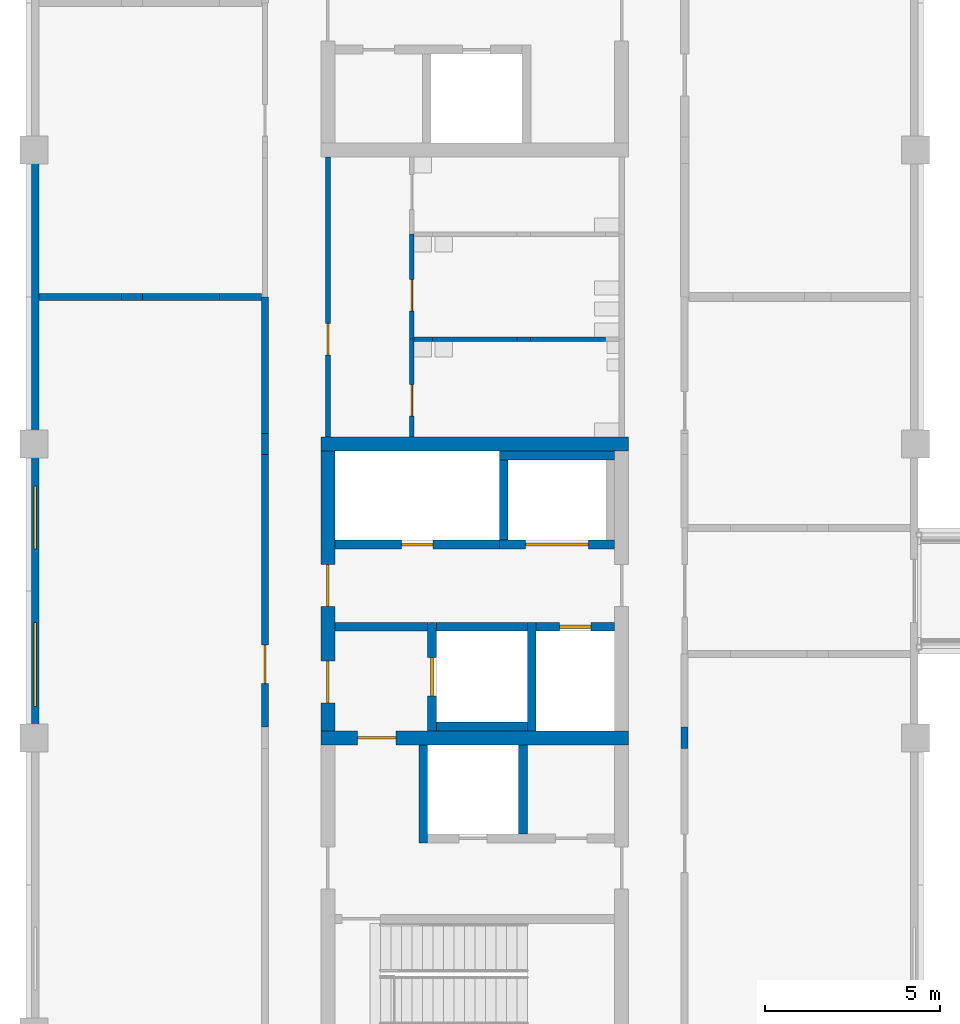
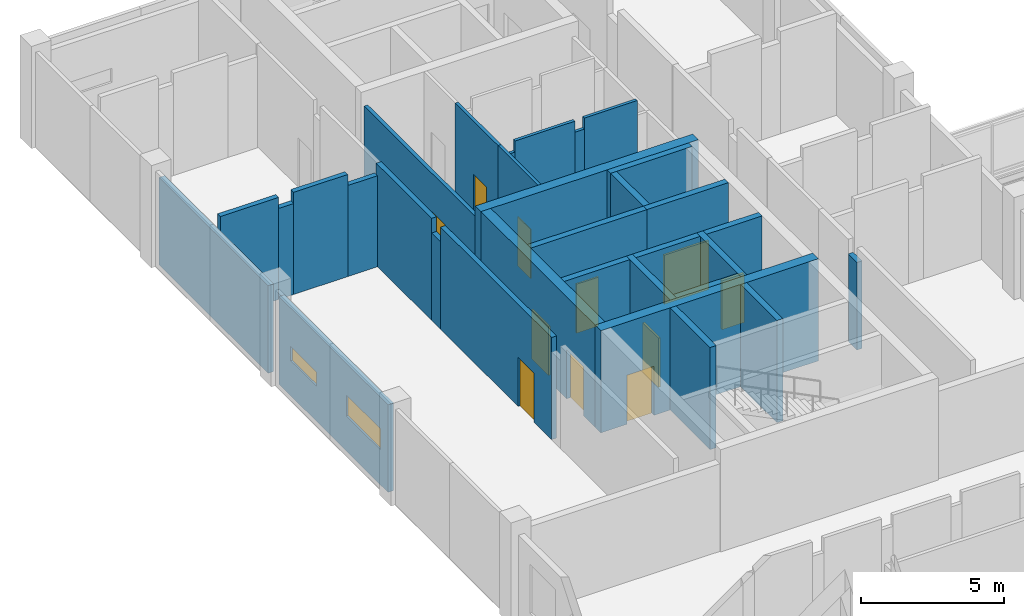
# One storey, part 35 of 70: 32 walls, 11 doors, 2 windows, 13 openings.
"""IFC4 building model written with IfcOpenShell, lengths in metres."""

from ifc_helpers import new_model, si_unit, direction, frame, frame_2d, origin, place, context, subcontext, project, spatial, rectangle, extrude, material, layer, layer_set, type_object, element, fill, save


model = new_model("IFC4")

# Units and contexts
model_context = context("Model", 3, precision=1e-05, world=origin(), true_north=direction((0.0, 1.0)))
body_context = subcontext(model_context, "Body", "Model", "MODEL_VIEW")
ifc_project = project(units=[si_unit("LENGTHUNIT", "METRE"), si_unit("AREAUNIT", "SQUARE_METRE"), si_unit("VOLUMEUNIT", "CUBIC_METRE"), si_unit("PLANEANGLEUNIT", "RADIAN"), si_unit("MASSUNIT", "GRAM", prefix="KILO")], contexts=[model_context])

# Site, building, storey
site_placement = place(None, origin())
site = spatial("IfcSite", under=ifc_project, at=site_placement, CompositionType="ELEMENT")
building_placement = place(site_placement, origin())
building = spatial("IfcBuilding", under=site, at=building_placement, Name="Hlaing Beacon Police Headquarters", CompositionType="ELEMENT")
storey_placement = place(building_placement, frame((0.0, 0.0, 5.39990234375)))
storey = spatial("IfcBuildingStorey", under=building, at=storey_placement, Name="L01", CompositionType="ELEMENT", Elevation=5.39990234375)

# Wall, opening, door
ifc_material_1 = material(Name="Concrete C60/75", Category="concrete")
ifc_layer_1 = layer(ifc_material_1, 0.39990234375)
ifc_layer_set_1 = layer_set([ifc_layer_1], Name="Concrete C60/75")
wall_type_1 = type_object("IfcWallType", Name="Core shear wall 400", PredefinedType="SHEAR", material=ifc_layer_set_1)
wall_1_placement = place(storey_placement, frame((16.60009765625, 42.0, 0.0), z_axis=(0.0, 0.0, 1.0), x_axis=(1.0, 0.0, 0.0)))
wall_1 = element("IfcWall", 1, at=wall_1_placement, inside=storey, type_object=wall_type_1, Name="Core shear wall", PredefinedType="SHEAR", context=body_context, shape_type="SweptSolid", body=[
    extrude(rectangle(XDim=8.7998046875, YDim=0.39990234375, at=frame_2d((4.39990234375, 0.0))), origin(), (0.0, 0.0, 1.0), 4.3701171875),
])
opening_1_placement = place(wall_1_placement, frame((1.050048828125, 0.0, 0.0)))
opening_1 = element("IfcOpeningElement", 2, at=opening_1_placement, cuts=wall_1, Name="Opening L01-953", PredefinedType="OPENING", context=body_context, shape_type="SweptSolid", body=[
    extrude(rectangle(XDim=1.10009765625, YDim=2.10009765625, at=frame_2d((0.550048828125, 1.050048828125))), frame((0.0, 0.2099609375, 0.0), z_axis=(0.0, -1.0, 0.0), x_axis=(1.0, 0.0, 0.0)), (0.0, 0.0, 1.0), 0.419921875),
])
ifc_material_2 = material(Name="Steel fire door leaf", Category="steel")
ifc_layer_2 = layer(ifc_material_2, 0.070068359375)
ifc_layer_set_2 = layer_set([ifc_layer_2], Name="Steel fire door leaf")
door_type_1 = type_object("IfcDoorType", Name="Steel fire door FD60S 1100x2100", OperationType="SINGLE_SWING_LEFT", PredefinedType="DOOR", material=ifc_layer_set_2)
door_1_placement = place(opening_1_placement, frame((1.10009765625, 0.0, 0.0), z_axis=(0.0, 0.0, 1.0), x_axis=(-1.0, 0.0, 0.0)))
door_1 = element("IfcDoor", 3, at=door_1_placement, inside=storey, type_object=door_type_1, Name="Door Firefighting Lobby Stair", OperationType="SINGLE_SWING_LEFT", OverallHeight=2.10009765625, OverallWidth=1.10009765625, PredefinedType="DOOR", context=body_context, shape_type="SweptSolid", body=[
    extrude(rectangle(XDim=1.10009765625, YDim=2.10009765625, at=frame_2d((0.550048828125, 1.050048828125))), frame((0.0, 0.034912109375, 0.0), z_axis=(0.0, -1.0, 0.0), x_axis=(1.0, 0.0, 0.0)), (0.0, 0.0, 1.0), 0.070068359375),
])
fill(opening_1, door_1)

# Wall
wall_2_placement = place(storey_placement, frame((16.60009765625, 50.39990234375, 0.0), z_axis=(0.0, 0.0, 1.0), x_axis=(1.0, 0.0, 0.0)))
element("IfcWall", 4, at=wall_2_placement, inside=storey, type_object=wall_type_1, Name="Core shear wall", PredefinedType="SHEAR", context=body_context, shape_type="SweptSolid", body=[
    extrude(rectangle(XDim=8.7998046875, YDim=0.39990234375, at=frame_2d((4.39990234375, 0.0))), origin(), (0.0, 0.0, 1.0), 4.3701171875),
])

# Wall, openings, doors
wall_3_placement = place(storey_placement, frame((16.800048828125, 42.199951171875, 0.0), z_axis=(0.0, 0.0, 1.0), x_axis=(0.0, 1.0, 0.0)))
wall_3 = element("IfcWall", 5, at=wall_3_placement, inside=storey, type_object=wall_type_1, Name="Core shear wall", PredefinedType="SHEAR", context=body_context, shape_type="SweptSolid", body=[
    extrude(rectangle(XDim=8.0, YDim=0.39990234375, at=frame_2d((4.0, 0.0))), origin(), (0.0, 0.0, 1.0), 4.3701171875),
])
opening_2_placement = place(wall_3_placement, frame((3.550048828125, 0.0, 0.0)))
opening_2 = element("IfcOpeningElement", 6, at=opening_2_placement, cuts=wall_3, Name="Opening L01-950", PredefinedType="OPENING", context=body_context, shape_type="SweptSolid", body=[
    extrude(rectangle(XDim=1.199951171875, YDim=2.10009765625, at=frame_2d((0.60009765625, 1.050048828125))), frame((0.0, 0.2099609375, 0.0), z_axis=(0.0, -1.0, 0.0), x_axis=(1.0, 0.0, 0.0)), (0.0, 0.0, 1.0), 0.419921875),
])
opening_3_placement = place(wall_3_placement, frame((0.800048828125, 0.0, 0.0)))
opening_3 = element("IfcOpeningElement", 7, at=opening_3_placement, cuts=wall_3, Name="Opening L01-952", PredefinedType="OPENING", context=body_context, shape_type="SweptSolid", body=[
    extrude(rectangle(XDim=1.199951171875, YDim=2.10009765625, at=frame_2d((0.60009765625, 1.050048828125))), frame((0.0, 0.2099609375, 0.0), z_axis=(0.0, -1.0, 0.0), x_axis=(1.0, 0.0, 0.0)), (0.0, 0.0, 1.0), 0.419921875),
])
ifc_material_3 = material(Name="Steel fire door leaf", Category="steel")
ifc_layer_3 = layer(ifc_material_3, 0.070068359375)
ifc_layer_set_3 = layer_set([ifc_layer_3], Name="Steel fire door leaf")
door_type_2 = type_object("IfcDoorType", Name="Steel fire door FD60S 1200x2100", OperationType="SINGLE_SWING_LEFT", PredefinedType="DOOR", material=ifc_layer_set_3)
door_2_placement = place(opening_2_placement, frame((1.199951171875, 0.0, 0.0), z_axis=(0.0, 0.0, 1.0), x_axis=(-1.0, 0.0, 0.0)))
door_2 = element("IfcDoor", 8, at=door_2_placement, inside=storey, type_object=door_type_2, Name="Door Lift Lobby Entry", OperationType="SINGLE_SWING_RIGHT", OverallHeight=2.10009765625, OverallWidth=1.199951171875, PredefinedType="DOOR", context=body_context, shape_type="SweptSolid", body=[
    extrude(rectangle(XDim=1.199951171875, YDim=2.10009765625, at=frame_2d((0.599853515625, 1.050048828125))), frame((0.0, 0.034912109375, 0.0), z_axis=(0.0, -1.0, 0.0), x_axis=(1.0, 0.0, 0.0)), (0.0, 0.0, 1.0), 0.070068359375),
])
fill(opening_2, door_2)
door_3_placement = place(opening_3_placement, frame((1.199951171875, 0.0, 0.0), z_axis=(0.0, 0.0, 1.0), x_axis=(-1.0, 0.0, 0.0)))
door_3 = element("IfcDoor", 9, at=door_3_placement, inside=storey, type_object=door_type_2, Name="Door Firefighting Lobby Entry", OperationType="SINGLE_SWING_LEFT", OverallHeight=2.10009765625, OverallWidth=1.199951171875, PredefinedType="DOOR", context=body_context, shape_type="SweptSolid", body=[
    extrude(rectangle(XDim=1.199951171875, YDim=2.10009765625, at=frame_2d((0.599853515625, 1.050048828125))), frame((0.0, 0.034912109375, 0.0), z_axis=(0.0, -1.0, 0.0), x_axis=(1.0, 0.0, 0.0)), (0.0, 0.0, 1.0), 0.070068359375),
])
fill(opening_3, door_3)

# Wall, opening, door
ifc_material_4 = material(Name="Gypsum board partition")
ifc_layer_4 = layer(ifc_material_4, 0.14990234375)
ifc_layer_set_4 = layer_set([ifc_layer_4], Name="Gypsum board partition")
wall_type_2 = type_object("IfcWallType", Name="Corridor wall EI 30 150", PredefinedType="PARTITIONING", material=ifc_layer_set_4)
wall_4_placement = place(storey_placement, frame((16.800048828125, 50.60009765625, 0.0), z_axis=(0.0, 0.0, 1.0), x_axis=(0.0, 1.0, 0.0)))
wall_4 = element("IfcWall", 10, at=wall_4_placement, inside=storey, type_object=wall_type_2, Name="Corridor wall EI 30 150", PredefinedType="PARTITIONING", context=body_context, shape_type="SweptSolid", body=[
    extrude(rectangle(XDim=8.0, YDim=0.14990234375, at=frame_2d((4.0, 0.0))), origin(), (0.0, 0.0, 1.0), 3.74609375),
])
opening_4_placement = place(wall_4_placement, frame((2.35009765625, 0.0, 0.0)))
opening_4 = element("IfcOpeningElement", 11, at=opening_4_placement, cuts=wall_4, Name="Opening L01-064", PredefinedType="OPENING", context=body_context, shape_type="SweptSolid", body=[
    extrude(rectangle(XDim=0.89990234375, YDim=2.10009765625, at=frame_2d((0.449951171875, 1.050048828125))), frame((0.0, 0.0849609375, 0.0), z_axis=(0.0, -1.0, 0.0), x_axis=(1.0, 0.0, 0.0)), (0.0, 0.0, 1.0), 0.169921875),
])
ifc_material_5 = material(Name="Hardwood door leaf", Category="wood")
ifc_layer_5 = layer(ifc_material_5, 0.050048828125)
ifc_layer_set_5 = layer_set([ifc_layer_5], Name="Hardwood door leaf")
door_type_3 = type_object("IfcDoorType", Name="Fire door FD30S 900x2100", OperationType="SINGLE_SWING_LEFT", PredefinedType="DOOR", material=ifc_layer_set_5)
door_4_placement = place(opening_4_placement, frame((0.89990234375, 0.0, 0.0), z_axis=(0.0, 0.0, 1.0), x_axis=(-1.0, 0.0, 0.0)))
door_4 = element("IfcDoor", 12, at=door_4_placement, inside=storey, type_object=door_type_3, Name="Door WC Lobby", OperationType="SINGLE_SWING_LEFT", OverallHeight=2.10009765625, OverallWidth=0.89990234375, PredefinedType="DOOR", context=body_context, shape_type="SweptSolid", body=[
    extrude(rectangle(XDim=0.89990234375, YDim=2.10009765625, at=frame_2d((0.449951171875, 1.050048828125))), frame((0.0, 0.025146484375, 0.0), z_axis=(0.0, -1.0, 0.0), x_axis=(1.0, 0.0, 0.0)), (0.0, 0.0, 1.0), 0.050048828125),
])
fill(opening_4, door_4)

# Wall
ifc_material_6 = material(Name="Concrete blockwork 7.5 N/mm2", Category="masonry")
ifc_layer_6 = layer(ifc_material_6, 0.199951171875)
ifc_layer_set_6 = layer_set([ifc_layer_6], Name="Concrete blockwork 7.5 N/mm2")
wall_type_3 = type_object("IfcWallType", Name="Laboratory wall EI 60 200", PredefinedType="PARTITIONING", material=ifc_layer_set_6)
wall_5_placement = place(storey_placement, frame((27.0, 41.695068359375, 0.0), z_axis=(0.0, 0.0, 1.0), x_axis=(0.0, 1.0, 0.0)))
element("IfcWall", 13, at=wall_5_placement, inside=storey, type_object=wall_type_3, Name="Laboratory wall EI 60 200", PredefinedType="PARTITIONING", context=body_context, shape_type="SweptSolid", body=[
    extrude(rectangle(XDim=0.60986328125, YDim=0.199951171875, at=frame_2d((0.304931640625, 0.0))), origin(), (0.0, 0.0, 1.0), 3.74609375),
])

# Wall, opening, door
wall_6_placement = place(storey_placement, frame((15.0, 42.304931640625, 0.0), z_axis=(0.0, 0.0, 1.0), x_axis=(0.0, 1.0, 0.0)))
wall_6 = element("IfcWall", 14, at=wall_6_placement, inside=storey, type_object=wall_type_3, Name="Laboratory wall EI 60 200", PredefinedType="PARTITIONING", context=body_context, shape_type="SweptSolid", body=[
    extrude(rectangle(XDim=7.7900390625, YDim=0.199951171875, at=frame_2d((3.89501953125, 0.0))), origin(), (0.0, 0.0, 1.0), 4.3701171875),
])
opening_5_placement = place(wall_6_placement, frame((1.2451171875, 0.0, 0.0)))
opening_5 = element("IfcOpeningElement", 15, at=opening_5_placement, cuts=wall_6, Name="Opening L01-066", PredefinedType="OPENING", context=body_context, shape_type="SweptSolid", body=[
    extrude(rectangle(XDim=1.10009765625, YDim=2.10009765625, at=frame_2d((0.550048828125, 1.050048828125))), frame((0.0, 0.10986328125, 0.0), z_axis=(0.0, -1.0, 0.0), x_axis=(1.0, 0.0, 0.0)), (0.0, 0.0, 1.0), 0.219970703125),
])
ifc_material_7 = material(Name="Hardwood door leaf", Category="wood")
ifc_layer_7 = layer(ifc_material_7, 0.050048828125)
ifc_layer_set_7 = layer_set([ifc_layer_7], Name="Hardwood door leaf")
door_type_4 = type_object("IfcDoorType", Name="Fire door FD30 1100x2100", OperationType="SINGLE_SWING_LEFT", PredefinedType="DOOR", material=ifc_layer_set_7)
door_5_placement = place(opening_5_placement, origin())
door_5 = element("IfcDoor", 16, at=door_5_placement, inside=storey, type_object=door_type_4, Name="Door DNA Forensic Laboratory", OperationType="SINGLE_SWING_LEFT", OverallHeight=2.10009765625, OverallWidth=1.10009765625, PredefinedType="DOOR", context=body_context, shape_type="SweptSolid", body=[
    extrude(rectangle(XDim=1.10009765625, YDim=2.10009765625, at=frame_2d((0.550048828125, 1.050048828125))), frame((0.0, 0.02490234375, 0.0), z_axis=(0.0, -1.0, 0.0), x_axis=(1.0, 0.0, 0.0)), (0.0, 0.0, 1.0), 0.050048828125),
])
fill(opening_5, door_5)

# Walls
wall_7_placement = place(storey_placement, frame((15.0, 50.094970703125, 0.0), z_axis=(0.0, 0.0, 1.0), x_axis=(0.0, 1.0, 0.0)))
element("IfcWall", 17, at=wall_7_placement, inside=storey, type_object=wall_type_3, Name="Laboratory wall EI 60 200", PredefinedType="PARTITIONING", context=body_context, shape_type="SweptSolid", body=[
    extrude(rectangle(XDim=0.610107421875, YDim=0.199951171875, at=frame_2d((0.30517578125, 0.0))), origin(), (0.0, 0.0, 1.0), 3.74609375),
])
wall_8_placement = place(storey_placement, frame((15.0, 50.705078125, 0.0), z_axis=(0.0, 0.0, 1.0), x_axis=(0.0, 1.0, 0.0)))
element("IfcWall", 18, at=wall_8_placement, inside=storey, type_object=wall_type_3, Name="Laboratory wall EI 60 200", PredefinedType="PARTITIONING", context=body_context, shape_type="SweptSolid", body=[
    extrude(rectangle(XDim=3.89501953125, YDim=0.199951171875, at=frame_2d((1.947509765625, 0.0))), origin(), (0.0, 0.0, 1.0), 4.3701171875),
])
wall_9_placement = place(storey_placement, frame((8.550048828125, 54.60009765625, 0.0), z_axis=(0.0, 0.0, 1.0), x_axis=(1.0, 0.0, 0.0)))
element("IfcWall", 19, at=wall_9_placement, inside=storey, type_object=wall_type_3, Name="Laboratory wall EI 60 200", PredefinedType="PARTITIONING", context=body_context, shape_type="SweptSolid", body=[
    extrude(rectangle(XDim=2.344970703125, YDim=0.199951171875, at=frame_2d((1.17236328125, 0.0))), origin(), (0.0, 0.0, 1.0), 4.3701171875),
])
wall_10_placement = place(storey_placement, frame((10.89501953125, 54.60009765625, 0.0), z_axis=(0.0, 0.0, 1.0), x_axis=(1.0, 0.0, 0.0)))
element("IfcWall", 20, at=wall_10_placement, inside=storey, type_object=wall_type_3, Name="Laboratory wall EI 60 200", PredefinedType="PARTITIONING", context=body_context, shape_type="SweptSolid", body=[
    extrude(rectangle(XDim=0.60986328125, YDim=0.199951171875, at=frame_2d((0.304931640625, 0.0))), origin(), (0.0, 0.0, 1.0), 3.89501953125),
])
wall_11_placement = place(storey_placement, frame((11.5048828125, 54.60009765625, 0.0), z_axis=(0.0, 0.0, 1.0), x_axis=(1.0, 0.0, 0.0)))
element("IfcWall", 21, at=wall_11_placement, inside=storey, type_object=wall_type_3, Name="Laboratory wall EI 60 200", PredefinedType="PARTITIONING", context=body_context, shape_type="SweptSolid", body=[
    extrude(rectangle(XDim=2.190185546875, YDim=0.199951171875, at=frame_2d((1.09521484375, 0.0))), origin(), (0.0, 0.0, 1.0), 4.3701171875),
])
wall_12_placement = place(storey_placement, frame((13.695068359375, 54.60009765625, 0.0), z_axis=(0.0, 0.0, 1.0), x_axis=(1.0, 0.0, 0.0)))
element("IfcWall", 22, at=wall_12_placement, inside=storey, type_object=wall_type_3, Name="Laboratory wall EI 60 200", PredefinedType="PARTITIONING", context=body_context, shape_type="SweptSolid", body=[
    extrude(rectangle(XDim=1.204833984375, YDim=0.199951171875, at=frame_2d((0.6025390625, 0.0))), origin(), (0.0, 0.0, 1.0), 3.89501953125),
])

# Wall, opening, door
ifc_material_8 = material(Name="Gypsum board partition")
ifc_layer_8 = layer(ifc_material_8, 0.125)
ifc_layer_set_8 = layer_set([ifc_layer_8], Name="Gypsum board partition")
wall_type_4 = type_object("IfcWallType", Name="Partition 125", PredefinedType="PARTITIONING", material=ifc_layer_set_8)
wall_13_placement = place(storey_placement, frame((19.199951171875, 53.39990234375, 0.0), z_axis=(0.0, 0.0, 1.0), x_axis=(0.0, 1.0, 0.0)))
wall_13 = element("IfcWall", 23, at=wall_13_placement, inside=storey, type_object=wall_type_4, Name="Partition 125", PredefinedType="PARTITIONING", context=body_context, shape_type="SweptSolid", body=[
    extrude(rectangle(XDim=3.0, YDim=0.125, at=frame_2d((1.5, 0.0))), origin(), (0.0, 0.0, 1.0), 4.3701171875),
])
opening_6_placement = place(wall_13_placement, frame((0.800048828125, 0.0, 0.0)))
opening_6 = element("IfcOpeningElement", 24, at=opening_6_placement, cuts=wall_13, Name="Opening L01-063", PredefinedType="OPENING", context=body_context, shape_type="SweptSolid", body=[
    extrude(rectangle(XDim=0.89990234375, YDim=2.10009765625, at=frame_2d((0.449951171875, 1.050048828125))), frame((0.0, 0.072509765625, 0.0), z_axis=(0.0, -1.0, 0.0), x_axis=(1.0, 0.0, 0.0)), (0.0, 0.0, 1.0), 0.14501953125),
])
ifc_material_9 = material(Name="Hardwood door leaf", Category="wood")
ifc_layer_9 = layer(ifc_material_9, 0.0400390625)
ifc_layer_set_9 = layer_set([ifc_layer_9], Name="Hardwood door leaf")
door_type_5 = type_object("IfcDoorType", Name="Door 900x2100", OperationType="SINGLE_SWING_LEFT", PredefinedType="DOOR", material=ifc_layer_set_9)
door_6_placement = place(opening_6_placement, frame((0.89990234375, 0.0, 0.0), z_axis=(0.0, 0.0, 1.0), x_axis=(-1.0, 0.0, 0.0)))
door_6 = element("IfcDoor", 25, at=door_6_placement, inside=storey, type_object=door_type_5, Name="Door Female WC", OperationType="SINGLE_SWING_LEFT", OverallHeight=2.10009765625, OverallWidth=0.89990234375, PredefinedType="DOOR", context=body_context, shape_type="SweptSolid", body=[
    extrude(rectangle(XDim=0.89990234375, YDim=2.10009765625, at=frame_2d((0.449951171875, 1.050048828125))), frame((0.0, 0.02001953125, 0.0), z_axis=(0.0, -1.0, 0.0), x_axis=(1.0, 0.0, 0.0)), (0.0, 0.0, 1.0), 0.0400390625),
])
fill(opening_6, door_6)

# Walls
wall_14_placement = place(storey_placement, frame((19.261962890625, 53.39990234375, 0.0), z_axis=(0.0, 0.0, 1.0), x_axis=(1.0, 0.0, 0.0)))
element("IfcWall", 26, at=wall_14_placement, inside=storey, type_object=wall_type_4, Name="Partition 125", PredefinedType="PARTITIONING", context=body_context, shape_type="SweptSolid", body=[
    extrude(rectangle(XDim=0.531005859375, YDim=0.125, at=frame_2d((0.265625, 0.0))), origin(), (0.0, 0.0, 1.0), 3.89501953125),
])
wall_15_placement = place(storey_placement, frame((19.79296875, 53.39990234375, 0.0), z_axis=(0.0, 0.0, 1.0), x_axis=(1.0, 0.0, 0.0)))
element("IfcWall", 27, at=wall_15_placement, inside=storey, type_object=wall_type_4, Name="Partition 125", PredefinedType="PARTITIONING", context=body_context, shape_type="SweptSolid", body=[
    extrude(rectangle(XDim=2.4140625, YDim=0.125, at=frame_2d((1.20703125, 0.0))), origin(), (0.0, 0.0, 1.0), 4.3701171875),
])
wall_16_placement = place(storey_placement, frame((22.20703125, 53.39990234375, 0.0), z_axis=(0.0, 0.0, 1.0), x_axis=(1.0, 0.0, 0.0)))
element("IfcWall", 28, at=wall_16_placement, inside=storey, type_object=wall_type_4, Name="Partition 125", PredefinedType="PARTITIONING", context=body_context, shape_type="SweptSolid", body=[
    extrude(rectangle(XDim=0.385009765625, YDim=0.125, at=frame_2d((0.1923828125, 0.0))), origin(), (0.0, 0.0, 1.0), 3.89501953125),
])
wall_17_placement = place(storey_placement, frame((22.592041015625, 53.39990234375, 0.0), z_axis=(0.0, 0.0, 1.0), x_axis=(1.0, 0.0, 0.0)))
element("IfcWall", 29, at=wall_17_placement, inside=storey, type_object=wall_type_4, Name="Partition 125", PredefinedType="PARTITIONING", context=body_context, shape_type="SweptSolid", body=[
    extrude(rectangle(XDim=2.14794921875, YDim=0.125, at=frame_2d((1.073974609375, 0.0))), origin(), (0.0, 0.0, 1.0), 4.3701171875),
])

# Wall, opening, door
wall_18_placement = place(storey_placement, frame((19.199951171875, 50.60009765625, 0.0), z_axis=(0.0, 0.0, 1.0), x_axis=(0.0, 1.0, 0.0)))
wall_18 = element("IfcWall", 30, at=wall_18_placement, inside=storey, type_object=wall_type_4, Name="Partition 125", PredefinedType="PARTITIONING", context=body_context, shape_type="SweptSolid", body=[
    extrude(rectangle(XDim=2.7998046875, YDim=0.125, at=frame_2d((1.39990234375, 0.0))), origin(), (0.0, 0.0, 1.0), 4.3701171875),
])
opening_7_placement = place(wall_18_placement, frame((0.60009765625, 0.0, 0.0)))
opening_7 = element("IfcOpeningElement", 31, at=opening_7_placement, cuts=wall_18, Name="Opening L01-065", PredefinedType="OPENING", context=body_context, shape_type="SweptSolid", body=[
    extrude(rectangle(XDim=0.89990234375, YDim=2.10009765625, at=frame_2d((0.449951171875, 1.050048828125))), frame((0.0, 0.072509765625, 0.0), z_axis=(0.0, -1.0, 0.0), x_axis=(1.0, 0.0, 0.0)), (0.0, 0.0, 1.0), 0.14501953125),
])
door_7_placement = place(opening_7_placement, frame((0.89990234375, 0.0, 0.0), z_axis=(0.0, 0.0, 1.0), x_axis=(-1.0, 0.0, 0.0)))
door_7 = element("IfcDoor", 32, at=door_7_placement, inside=storey, type_object=door_type_5, Name="Door Male WC", OperationType="SINGLE_SWING_LEFT", OverallHeight=2.10009765625, OverallWidth=0.89990234375, PredefinedType="DOOR", context=body_context, shape_type="SweptSolid", body=[
    extrude(rectangle(XDim=0.89990234375, YDim=2.10009765625, at=frame_2d((0.449951171875, 1.050048828125))), frame((0.0, 0.02001953125, 0.0), z_axis=(0.0, -1.0, 0.0), x_axis=(1.0, 0.0, 0.0)), (0.0, 0.0, 1.0), 0.0400390625),
])
fill(opening_7, door_7)

# Wall
ifc_material_10 = material(Name="Fibre cement ribbed cladding on insulated frame")
ifc_layer_10 = layer(ifc_material_10, 0.22509765625)
ifc_layer_set_10 = layer_set([ifc_layer_10], Name="Fibre cement ribbed cladding on insulated frame")
wall_type_5 = type_object("IfcWallType", Name="Ribbed fibre-cement clad wall 225", PredefinedType="SOLIDWALL", material=ifc_layer_set_10)
wall_19_placement = place(storey_placement, frame((8.4375, 58.419921875, 0.0), z_axis=(0.0, 0.0, 1.0), x_axis=(0.0, -1.0, 0.0)))
element("IfcWall", 33, at=wall_19_placement, inside=storey, type_object=wall_type_5, Name="External wall L01 W008", PredefinedType="SOLIDWALL", context=body_context, shape_type="SweptSolid", body=[
    extrude(rectangle(XDim=7.639892578125, YDim=0.22509765625, at=frame_2d((3.81982421875, 0.0))), origin(), (0.0, 0.0, 1.0), 3.74609375),
])

# Wall, openings, windows
wall_20_placement = place(storey_placement, frame((8.4375, 50.02001953125, 0.0), z_axis=(0.0, 0.0, 1.0), x_axis=(0.0, -1.0, 0.0)))
wall_20 = element("IfcWall", 34, at=wall_20_placement, inside=storey, type_object=wall_type_5, Name="External wall L01 W009", PredefinedType="SOLIDWALL", context=body_context, shape_type="SweptSolid", body=[
    extrude(rectangle(XDim=7.64013671875, YDim=0.22509765625, at=frame_2d((3.820068359375, 0.0))), origin(), (0.0, 0.0, 1.0), 3.74609375),
])
opening_8_placement = place(wall_20_placement, frame((0.820068359375, 0.0, 1.5)))
opening_8 = element("IfcOpeningElement", 35, at=opening_8_placement, cuts=wall_20, Name="Opening WN14", PredefinedType="OPENING", context=body_context, shape_type="SweptSolid", body=[
    extrude(rectangle(XDim=1.800048828125, YDim=0.60009765625, at=frame_2d((0.89990234375, 0.300048828125))), frame((0.0, 0.12255859375, 0.0), z_axis=(0.0, -1.0, 0.0), x_axis=(1.0, 0.0, 0.0)), (0.0, 0.0, 1.0), 0.2451171875),
])
opening_9_placement = place(wall_20_placement, frame((4.719970703125, 0.0, 1.5)))
opening_9 = element("IfcOpeningElement", 36, at=opening_9_placement, cuts=wall_20, Name="Opening WN15", PredefinedType="OPENING", context=body_context, shape_type="SweptSolid", body=[
    extrude(rectangle(XDim=2.39990234375, YDim=0.89990234375, at=frame_2d((1.199951171875, 0.449951171875))), frame((0.0, 0.12255859375, 0.0), z_axis=(0.0, -1.0, 0.0), x_axis=(1.0, 0.0, 0.0)), (0.0, 0.0, 1.0), 0.2451171875),
])
ifc_material_11 = material(Name="Aluminium frame with solar control glazing", Category="aluminium")
window_type_1 = type_object("IfcWindowType", Name="Laboratory high window 2400x900 frame 80", PartitioningType="SINGLE_PANEL", PredefinedType="WINDOW", material=ifc_material_11)
window_1_placement = place(opening_9_placement, origin())
window_1 = element("IfcWindow", 37, at=window_1_placement, inside=storey, type_object=window_type_1, Name="Window L01 WF", OverallHeight=0.89990234375, OverallWidth=2.39990234375, PartitioningType="SINGLE_PANEL", PredefinedType="WINDOW", context=body_context, shape_type="SweptSolid", body=[
    extrude(rectangle(XDim=2.39990234375, YDim=0.89990234375, at=frame_2d((1.199951171875, 0.449951171875))), frame((0.0, 0.0400390625, 0.0), z_axis=(0.0, -1.0, 0.0), x_axis=(1.0, 0.0, 0.0)), (0.0, 0.0, 1.0), 0.080078125),
])
fill(opening_9, window_1)
ifc_material_12 = material(Name="Aluminium frame with solar control glazing", Category="aluminium")
window_type_2 = type_object("IfcWindowType", Name="Strip window 1800x600 frame 80", PartitioningType="SINGLE_PANEL", PredefinedType="WINDOW", material=ifc_material_12)
window_2_placement = place(opening_8_placement, origin())
window_2 = element("IfcWindow", 38, at=window_2_placement, inside=storey, type_object=window_type_2, Name="Window L01 WJ", OverallHeight=0.60009765625, OverallWidth=1.800048828125, PartitioningType="SINGLE_PANEL", PredefinedType="WINDOW", context=body_context, shape_type="SweptSolid", body=[
    extrude(rectangle(XDim=1.800048828125, YDim=0.60009765625, at=frame_2d((0.89990234375, 0.300048828125))), frame((0.0, 0.0400390625, 0.0), z_axis=(0.0, -1.0, 0.0), x_axis=(1.0, 0.0, 0.0)), (0.0, 0.0, 1.0), 0.080078125),
])
fill(opening_8, window_2)

# Wall, opening, door
ifc_material_13 = material(Name="Concrete C40/50", Category="concrete")
ifc_layer_11 = layer(ifc_material_13, 0.25)
ifc_layer_set_11 = layer_set([ifc_layer_11], Name="Concrete C40/50")
wall_type_6 = type_object("IfcWallType", Name="Shaft wall 250", PredefinedType="SOLIDWALL", material=ifc_layer_set_11)
wall_21_placement = place(storey_placement, frame((21.699951171875, 47.52490234375, 0.0), z_axis=(0.0, 0.0, 1.0), x_axis=(-1.0, 0.0, 0.0)))
wall_21 = element("IfcWall", 39, at=wall_21_placement, inside=storey, type_object=wall_type_6, Name="Lobby wall", PredefinedType="SOLIDWALL", context=body_context, shape_type="SweptSolid", body=[
    extrude(rectangle(XDim=4.699951171875, YDim=0.25, at=frame_2d((2.35009765625, 0.0))), origin(), (0.0, 0.0, 1.0), 4.3701171875),
])
opening_10_placement = place(wall_21_placement, frame((1.89990234375, 0.0, 0.0)))
opening_10 = element("IfcOpeningElement", 40, at=opening_10_placement, cuts=wall_21, Name="Opening L01-954", PredefinedType="OPENING", context=body_context, shape_type="SweptSolid", body=[
    extrude(rectangle(XDim=0.89990234375, YDim=2.10009765625, at=frame_2d((0.449951171875, 1.050048828125))), frame((0.0, 0.135009765625, 0.0), z_axis=(0.0, -1.0, 0.0), x_axis=(1.0, 0.0, 0.0)), (0.0, 0.0, 1.0), 0.27001953125),
])
ifc_material_14 = material(Name="Steel fire door leaf", Category="steel")
ifc_layer_12 = layer(ifc_material_14, 0.070068359375)
ifc_layer_set_12 = layer_set([ifc_layer_12], Name="Steel fire door leaf")
door_type_6 = type_object("IfcDoorType", Name="Steel fire door FD60 900x2100", OperationType="SINGLE_SWING_LEFT", PredefinedType="DOOR", material=ifc_layer_set_12)
door_8_placement = place(opening_10_placement, frame((0.89990234375, 0.0, 0.0), z_axis=(0.0, 0.0, 1.0), x_axis=(-1.0, 0.0, 0.0)))
door_8 = element("IfcDoor", 41, at=door_8_placement, inside=storey, type_object=door_type_6, Name="Door Services Riser", OperationType="SINGLE_SWING_RIGHT", OverallHeight=2.10009765625, OverallWidth=0.89990234375, PredefinedType="DOOR", context=body_context, shape_type="SweptSolid", body=[
    extrude(rectangle(XDim=0.89990234375, YDim=2.10009765625, at=frame_2d((0.449951171875, 1.050048828125))), frame((0.0, 0.034912109375, 0.0), z_axis=(0.0, -1.0, 0.0), x_axis=(1.0, 0.0, 0.0)), (0.0, 0.0, 1.0), 0.070068359375),
])
fill(opening_10, door_8)

wall_22_placement = place(storey_placement, frame((25.0, 45.175048828125, 0.0), z_axis=(0.0, 0.0, 1.0), x_axis=(-1.0, 0.0, 0.0)))
wall_22 = element("IfcWall", 42, at=wall_22_placement, inside=storey, type_object=wall_type_6, Name="Lobby wall", PredefinedType="SOLIDWALL", context=body_context, shape_type="SweptSolid", body=[
    extrude(rectangle(XDim=2.25, YDim=0.25, at=frame_2d((1.125, 0.0))), origin(), (0.0, 0.0, 1.0), 4.3701171875),
])
opening_11_placement = place(wall_22_placement, frame((0.675048828125, 0.0, 0.0)))
opening_11 = element("IfcOpeningElement", 43, at=opening_11_placement, cuts=wall_22, Name="Opening L01-955", PredefinedType="OPENING", context=body_context, shape_type="SweptSolid", body=[
    extrude(rectangle(XDim=0.89990234375, YDim=2.10009765625, at=frame_2d((0.449951171875, 1.050048828125))), frame((0.0, 0.135009765625, 0.0), z_axis=(0.0, -1.0, 0.0), x_axis=(1.0, 0.0, 0.0)), (0.0, 0.0, 1.0), 0.27001953125),
])
ifc_material_15 = material(Name="Steel fire door leaf", Category="steel")
ifc_layer_13 = layer(ifc_material_15, 0.10009765625)
ifc_layer_set_13 = layer_set([ifc_layer_13], Name="Steel fire door leaf")
door_type_7 = type_object("IfcDoorType", Name="Steel fire door FD120 900x2100", OperationType="SINGLE_SWING_LEFT", PredefinedType="DOOR", material=ifc_layer_set_13)
door_9_placement = place(opening_11_placement, origin())
door_9 = element("IfcDoor", 44, at=door_9_placement, inside=storey, type_object=door_type_7, Name="Door Electrical Riser Room", OperationType="SINGLE_SWING_LEFT", OverallHeight=2.10009765625, OverallWidth=0.89990234375, PredefinedType="DOOR", context=body_context, shape_type="SweptSolid", body=[
    extrude(rectangle(XDim=0.89990234375, YDim=2.10009765625, at=frame_2d((0.449951171875, 1.050048828125))), frame((0.0, 0.050048828125, 0.0), z_axis=(0.0, -1.0, 0.0), x_axis=(1.0, 0.0, 0.0)), (0.0, 0.0, 1.0), 0.10009765625),
])
fill(opening_11, door_9)

# Walls
wall_23_placement = place(storey_placement, frame((19.64990234375, 45.175048828125, 0.0), z_axis=(0.0, 0.0, 1.0), x_axis=(-1.0, 0.0, 0.0)))
element("IfcWall", 45, at=wall_23_placement, inside=storey, type_object=wall_type_6, Name="Firefighting lobby wall", PredefinedType="SOLIDWALL", context=body_context, shape_type="SweptSolid", body=[
    extrude(rectangle(XDim=2.64990234375, YDim=0.25, at=frame_2d((1.324951171875, 0.0))), origin(), (0.0, 0.0, 1.0), 4.3701171875),
])
wall_24_placement = place(storey_placement, frame((19.52490234375, 39.0, 0.0), z_axis=(0.0, 0.0, 1.0), x_axis=(0.0, 1.0, 0.0)))
element("IfcWall", 46, at=wall_24_placement, inside=storey, type_object=wall_type_6, Name="Lobby wall", PredefinedType="SOLIDWALL", context=body_context, shape_type="SweptSolid", body=[
    extrude(rectangle(XDim=2.800048828125, YDim=0.25, at=frame_2d((1.39990234375, 0.0))), origin(), (0.0, 0.0, 1.0), 4.3701171875),
])
wall_25_placement = place(storey_placement, frame((22.375, 39.25, 0.0), z_axis=(0.0, 0.0, 1.0), x_axis=(0.0, 1.0, 0.0)))
element("IfcWall", 47, at=wall_25_placement, inside=storey, type_object=wall_type_6, Name="Riser wall", PredefinedType="SOLIDWALL", context=body_context, shape_type="SweptSolid", body=[
    extrude(rectangle(XDim=2.550048828125, YDim=0.25, at=frame_2d((1.27490234375, 0.0))), origin(), (0.0, 0.0, 1.0), 4.3701171875),
])
wall_26_placement = place(storey_placement, frame((21.699951171875, 50.074951171875, 0.0), z_axis=(0.0, 0.0, 1.0), x_axis=(1.0, 0.0, 0.0)))
element("IfcWall", 48, at=wall_26_placement, inside=storey, type_object=wall_type_6, Name="Lift shaft wall EL1", PredefinedType="SOLIDWALL", context=body_context, shape_type="SweptSolid", body=[
    extrude(rectangle(XDim=3.300048828125, YDim=0.25, at=frame_2d((1.64990234375, 0.0))), origin(), (0.0, 0.0, 1.0), 4.3701171875),
])

# Wall, opening, door
wall_27_placement = place(storey_placement, frame((21.699951171875, 47.52490234375, 0.0), z_axis=(0.0, 0.0, 1.0), x_axis=(1.0, 0.0, 0.0)))
wall_27 = element("IfcWall", 49, at=wall_27_placement, inside=storey, type_object=wall_type_6, Name="Lift shaft wall EL1", PredefinedType="SOLIDWALL", context=body_context, shape_type="SweptSolid", body=[
    extrude(rectangle(XDim=3.300048828125, YDim=0.25, at=frame_2d((1.64990234375, 0.0))), origin(), (0.0, 0.0, 1.0), 4.3701171875),
])
opening_12_placement = place(wall_27_placement, frame((0.75, 0.0, 0.0)))
opening_12 = element("IfcOpeningElement", 50, at=opening_12_placement, cuts=wall_27, Name="Opening LD-EL1-L01", PredefinedType="OPENING", context=body_context, shape_type="SweptSolid", body=[
    extrude(rectangle(XDim=1.800048828125, YDim=2.10009765625, at=frame_2d((0.89990234375, 1.050048828125))), frame((0.0, 0.135009765625, 0.0), z_axis=(0.0, -1.0, 0.0), x_axis=(1.0, 0.0, 0.0)), (0.0, 0.0, 1.0), 0.27001953125),
])
ifc_material_16 = material(Name="Stainless steel lift landing door", Category="steel")
ifc_layer_14 = layer(ifc_material_16, 0.06005859375)
ifc_layer_set_14 = layer_set([ifc_layer_14], Name="Stainless steel lift landing door")
door_type_8 = type_object("IfcDoorType", Name="Lift landing door 1800x2100", OperationType="DOUBLE_DOOR_SLIDING", PredefinedType="DOOR", material=ifc_layer_set_14)
door_10_placement = place(opening_12_placement, origin())
door_10 = element("IfcDoor", 51, at=door_10_placement, inside=storey, type_object=door_type_8, Name="Landing door EL1 L01", OperationType="DOUBLE_DOOR_SLIDING", OverallHeight=2.10009765625, OverallWidth=1.800048828125, PredefinedType="DOOR", context=body_context, shape_type="SweptSolid", body=[
    extrude(rectangle(XDim=1.800048828125, YDim=2.10009765625, at=frame_2d((0.89990234375, 1.050048828125))), frame((0.0, 0.0400390625, 0.0), z_axis=(0.0, -1.0, 0.0), x_axis=(1.0, 0.0, 0.0)), (0.0, 0.0, 1.0), 0.080078125),
])
fill(opening_12, door_10)

# Walls
wall_28_placement = place(storey_placement, frame((21.824951171875, 47.64990234375, 0.0), z_axis=(0.0, 0.0, 1.0), x_axis=(0.0, 1.0, 0.0)))
element("IfcWall", 52, at=wall_28_placement, inside=storey, type_object=wall_type_6, Name="Lift shaft wall EL1", PredefinedType="SOLIDWALL", context=body_context, shape_type="SweptSolid", body=[
    extrude(rectangle(XDim=2.300048828125, YDim=0.25, at=frame_2d((1.14990234375, 0.0))), origin(), (0.0, 0.0, 1.0), 4.3701171875),
])
wall_29_placement = place(storey_placement, frame((22.625, 42.199951171875, 0.0), z_axis=(0.0, 0.0, 1.0), x_axis=(0.0, 1.0, 0.0)))
element("IfcWall", 53, at=wall_29_placement, inside=storey, type_object=wall_type_6, Name="Lift shaft wall FL2", PredefinedType="SOLIDWALL", context=body_context, shape_type="SweptSolid", body=[
    extrude(rectangle(XDim=3.10009765625, YDim=0.25, at=frame_2d((1.550048828125, 0.0))), origin(), (0.0, 0.0, 1.0), 4.3701171875),
])
for number, where, z_axis, x_axis, name in (
    (54, (19.89990234375, 45.175048828125, 0.0), (0.0, 0.0, 1.0), (1.0, 0.0, 0.0), "Lift shaft wall FL2"),
    (55, (19.89990234375, 42.324951171875, 0.0), (0.0, 0.0, 1.0), (1.0, 0.0, 0.0), "Lift shaft wall FL2"),
):
    element("IfcWall", number, at=place(storey_placement, frame(where, z_axis=z_axis, x_axis=x_axis)), inside=storey, type_object=wall_type_6, Name=name, PredefinedType="SOLIDWALL", context=body_context, shape_type="SweptSolid", body=[
        extrude(rectangle(XDim=2.60009765625, YDim=0.25, at=frame_2d((1.300048828125, 0.0))), origin(), (0.0, 0.0, 1.0), 4.3701171875),
    ])

# Wall, opening, door
wall_30_placement = place(storey_placement, frame((19.77490234375, 42.199951171875, 0.0), z_axis=(0.0, 0.0, 1.0), x_axis=(0.0, 1.0, 0.0)))
wall_30 = element("IfcWall", 56, at=wall_30_placement, inside=storey, type_object=wall_type_6, Name="Lift shaft wall FL2", PredefinedType="SOLIDWALL", context=body_context, shape_type="SweptSolid", body=[
    extrude(rectangle(XDim=3.10009765625, YDim=0.25, at=frame_2d((1.550048828125, 0.0))), origin(), (0.0, 0.0, 1.0), 4.3701171875),
])
opening_13_placement = place(wall_30_placement, frame((1.0, 0.0, 0.0)))
opening_13 = element("IfcOpeningElement", 57, at=opening_13_placement, cuts=wall_30, Name="Opening LD-FL2-L01", PredefinedType="OPENING", context=body_context, shape_type="SweptSolid", body=[
    extrude(rectangle(XDim=1.10009765625, YDim=2.10009765625, at=frame_2d((0.550048828125, 1.050048828125))), frame((0.0, 0.135009765625, 0.0), z_axis=(0.0, -1.0, 0.0), x_axis=(1.0, 0.0, 0.0)), (0.0, 0.0, 1.0), 0.27001953125),
])
ifc_material_17 = material(Name="Stainless steel lift landing door", Category="steel")
ifc_layer_15 = layer(ifc_material_17, 0.06005859375)
ifc_layer_set_15 = layer_set([ifc_layer_15], Name="Stainless steel lift landing door")
door_type_9 = type_object("IfcDoorType", Name="Lift landing door 1100x2100", OperationType="DOUBLE_DOOR_SLIDING", PredefinedType="DOOR", material=ifc_layer_set_15)
door_11_placement = place(opening_13_placement, origin())
door_11 = element("IfcDoor", 58, at=door_11_placement, inside=storey, type_object=door_type_9, Name="Landing door FL2 L01", OperationType="DOUBLE_DOOR_SLIDING", OverallHeight=2.10009765625, OverallWidth=1.10009765625, PredefinedType="DOOR", context=body_context, shape_type="SweptSolid", body=[
    extrude(rectangle(XDim=1.10009765625, YDim=2.10009765625, at=frame_2d((0.550048828125, 1.050048828125))), frame((0.0, 0.0400390625, 0.0), z_axis=(0.0, -1.0, 0.0), x_axis=(1.0, 0.0, 0.0)), (0.0, 0.0, 1.0), 0.080078125),
])
fill(opening_13, door_11)

save(model, "model.ifc")
